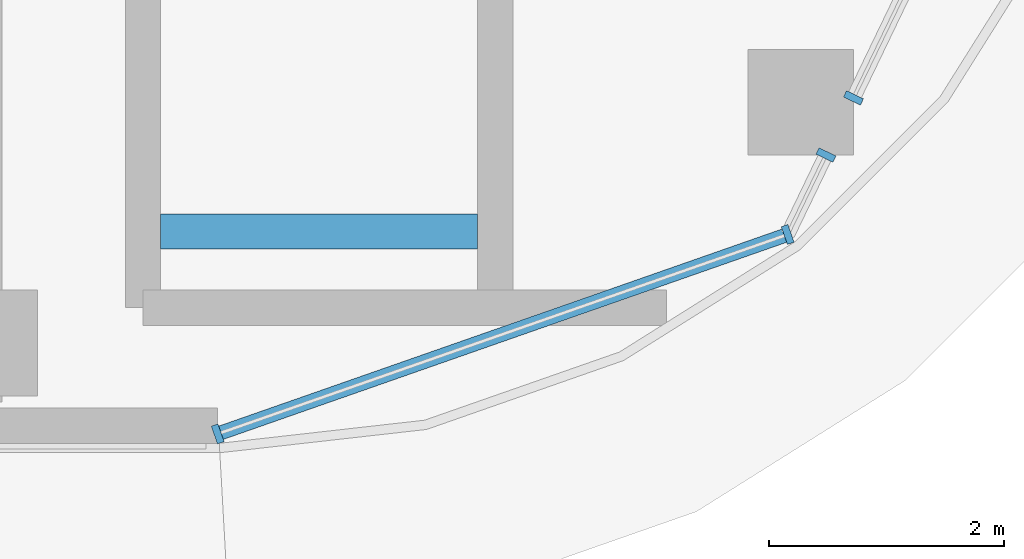
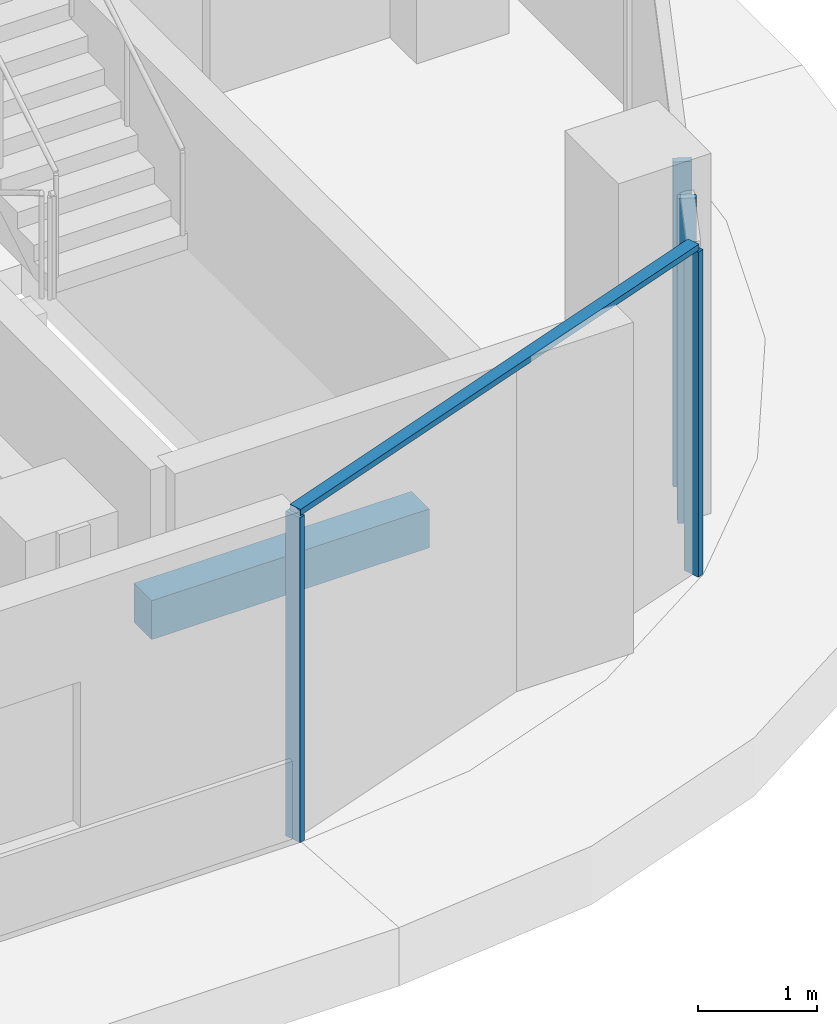
# One storey, part 3 of 22: 5 members, 1 beam, 2 elements without a shape of their own.
"""IFC4 building model written with IfcOpenShell, lengths in metres."""

from ifc_helpers import new_model, si_unit, direction, frame, origin, origin_2d, place, context, subcontext, project, spatial, rectangle, extrude, material, material_profile, profile_set, type_object, element, aggregate, save


model = new_model("IFC4")

# Units and contexts
model_context = context("Model", 3, precision=1e-05, world=origin(), true_north=direction((0.0, 1.0)))
body_context = subcontext(model_context, "Body", "Model", "MODEL_VIEW")
ifc_project = project(units=[si_unit("LENGTHUNIT", "METRE"), si_unit("AREAUNIT", "SQUARE_METRE"), si_unit("VOLUMEUNIT", "CUBIC_METRE"), si_unit("PLANEANGLEUNIT", "RADIAN"), si_unit("MASSUNIT", "GRAM", prefix="KILO")], contexts=[model_context])

# Site, building, storey
site_placement = place(None, origin())
site = spatial("IfcSite", under=ifc_project, at=site_placement, CompositionType="ELEMENT")
building_placement = place(site_placement, origin())
building = spatial("IfcBuilding", under=site, at=building_placement, Name="Ogive Portal Towers", CompositionType="ELEMENT")
storey_placement = place(building_placement, frame((0.0, 0.0, 206.89990234375)))
storey = spatial("IfcBuildingStorey", under=building, at=storey_placement, Name="L51", CompositionType="ELEMENT", Elevation=206.89990234375)

# Beam
ifc_material_1 = material(Name="Concrete C40/50", Category="concrete")
ifc_material_profile_1 = material_profile(ifc_material_1, rectangle(XDim=0.300048828125, YDim=0.39990234375, at=origin_2d()), Name="RC 300x400")
ifc_profile_set_1 = profile_set([ifc_material_profile_1], Name="Concrete C40/50")
beam_type = type_object("IfcBeamType", Name="BEAM RC 300x400", PredefinedType="BEAM", material=ifc_profile_set_1)
beam_placement = place(storey_placement, frame((87.0, 22.449951171875, 1.4501953125), z_axis=(1.0, 0.0, 0.0), x_axis=(0.0, 1.0, 0.0)))
element("IfcBeam", 1, at=beam_placement, inside=storey, type_object=beam_type, Name="Landing beam L51", PredefinedType="BEAM", context=body_context, shape_type="SweptSolid", body=[
    extrude(rectangle(XDim=0.300048828125, YDim=0.39990234375, at=origin_2d()), origin(), (0.0, 0.0, 1.0), 2.699951171875),
])

# Curtain wall, members
ifc_material_2 = material(Name="Glass, clear low-iron insulated glazing", Category="glass")
curtain_wall_type = type_object("IfcCurtainWallType", Name="CW FRONT RIBBON 4500", PredefinedType="NOTDEFINED", material=ifc_material_2)
curtain_wall_1_placement = place(storey_placement, origin())
curtain_wall_1 = element("IfcCurtainWall", 2, at=curtain_wall_1_placement, inside=storey, type_object=curtain_wall_type, Name="A:L51:f06:cwa~0", PredefinedType="NOTDEFINED")
ifc_material_3 = material(Name="Aluminium 6063 anodised", Category="aluminium")
ifc_material_profile_2 = material_profile(ifc_material_3, rectangle(XDim=0.159912109375, YDim=0.06005859375, at=origin_2d()), Name="AL 60x160")
ifc_profile_set_2 = profile_set([ifc_material_profile_2], Name="Aluminium 6063 anodised")
member_type_1 = type_object("IfcMemberType", Name="CW MULLION 60x160", PredefinedType="MULLION", material=ifc_profile_set_2)
member_1_placement = place(storey_placement, frame((87.486328125, 20.72509765625, 0.0), z_axis=(0.0, 0.0, 1.0), x_axis=(-0.33027906196, 0.943883330307, 0.0)))
member_1 = element("IfcMember", 3, at=member_1_placement, type_object=member_type_1, Name="mullion", PredefinedType="MULLION", context=body_context, shape_type="SweptSolid", body=[
    extrude(rectangle(XDim=0.159912109375, YDim=0.06005859375, at=origin_2d()), origin(), (0.0, 0.0, 1.0), 3.340087890625),
])
member_2_placement = place(storey_placement, frame((92.33984375, 22.42333984375, 0.0), z_axis=(0.0, 0.0, 1.0), x_axis=(-0.33027906196, 0.943883330307, 0.0)))
member_2 = element("IfcMember", 4, at=member_2_placement, type_object=member_type_1, Name="mullion", PredefinedType="MULLION", context=body_context, shape_type="SweptSolid", body=[
    extrude(rectangle(XDim=0.159912109375, YDim=0.06005859375, at=origin_2d()), origin(), (0.0, 0.0, 1.0), 3.340087890625),
])
member_3_placement = place(storey_placement, frame((92.665771484375, 23.10009765625, 0.0), z_axis=(0.0, 0.0, 1.0), x_axis=(-0.900968867905, 0.433883739113, 0.0)))
member_3 = element("IfcMember", 5, at=member_3_placement, type_object=member_type_1, Name="mullion", PredefinedType="MULLION", context=body_context, shape_type="SweptSolid", body=[
    extrude(rectangle(XDim=0.159912109375, YDim=0.06005859375, at=origin_2d()), origin(), (0.0, 0.0, 1.0), 3.340087890625),
])

# Curtain wall, member
curtain_wall_2_placement = place(storey_placement, origin())
curtain_wall_2 = element("IfcCurtainWall", 6, at=curtain_wall_2_placement, inside=storey, type_object=curtain_wall_type, Name="A:L51:f06:cwa~1", PredefinedType="NOTDEFINED")
member_4_placement = place(storey_placement, frame((92.89990234375, 23.58642578125, 0.0), z_axis=(0.0, 0.0, 1.0), x_axis=(-0.900968867905, 0.433883739113, 0.0)))
member_4 = element("IfcMember", 7, at=member_4_placement, type_object=member_type_1, Name="mullion", PredefinedType="MULLION", context=body_context, shape_type="SweptSolid", body=[
    extrude(rectangle(XDim=0.159912109375, YDim=0.06005859375, at=origin_2d()), origin(), (0.0, 0.0, 1.0), 3.340087890625),
])
aggregate(curtain_wall_2, [member_4])

# Member
ifc_material_profile_3 = material_profile(ifc_material_3, rectangle(XDim=0.1201171875, YDim=0.06005859375, at=origin_2d()), Name="AL 120x60")
ifc_profile_set_3 = profile_set([ifc_material_profile_3], Name="Aluminium 6063 anodised")
member_type_2 = type_object("IfcMemberType", Name="CW TRANSOM 60x120", PredefinedType="USERDEFINED", material=ifc_profile_set_3)
member_5_placement = place(storey_placement, frame((87.486328125, 20.72509765625, 3.3701171875), z_axis=(0.943887961031, 0.330265827813, 0.0), x_axis=(-0.330265827813, 0.943887961031, 0.0)))
member_5 = element("IfcMember", 8, at=member_5_placement, type_object=member_type_2, Name="transom", ObjectType="TRANSOM", PredefinedType="USERDEFINED", context=body_context, shape_type="SweptSolid", body=[
    extrude(rectangle(XDim=0.1201171875, YDim=0.06005859375, at=origin_2d()), origin(), (0.0, 0.0, 1.0), 5.14208984375),
])

aggregate(curtain_wall_1, [member_5, member_1, member_2, member_3])

save(model, "model.ifc")
